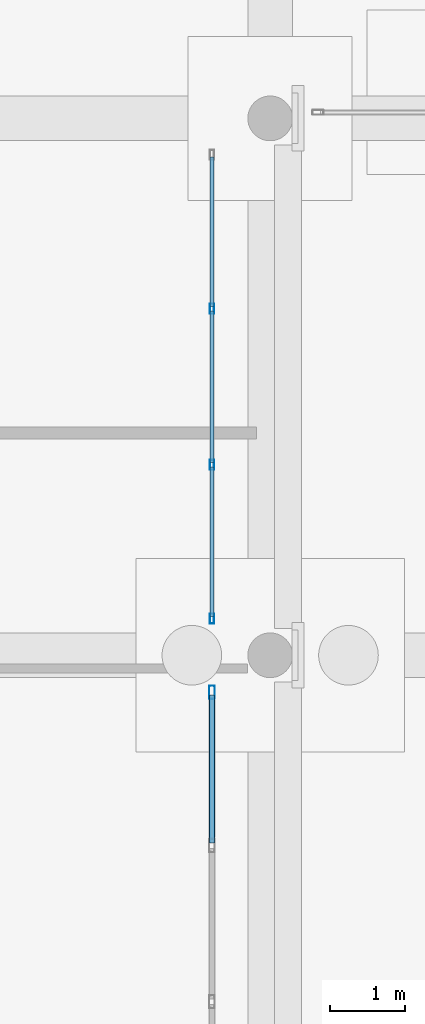
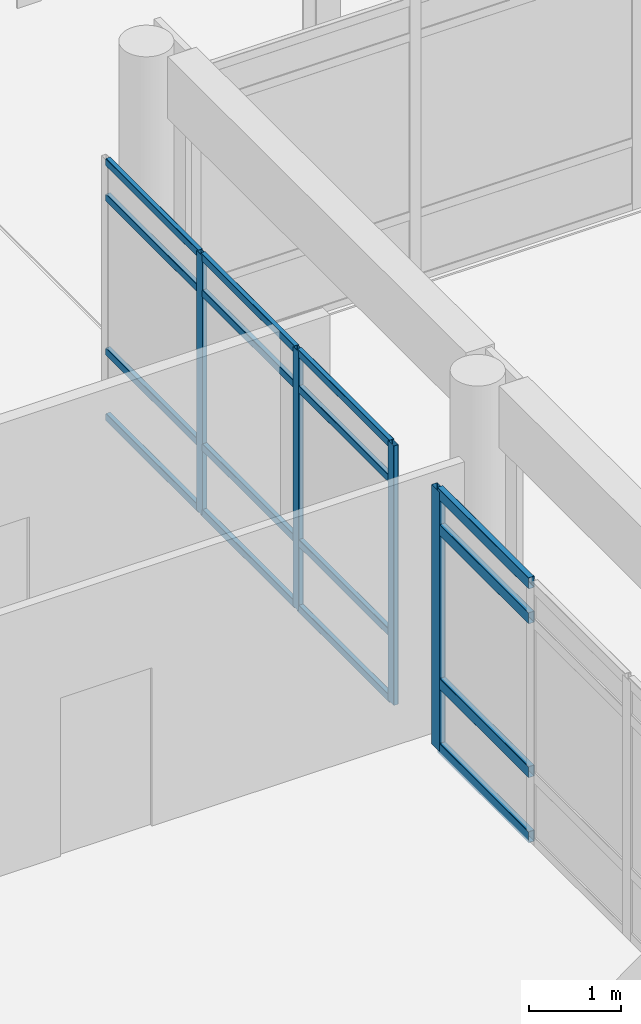
# One storey, part 79 of 196: 20 members, 2 elements without a shape of their own.
"""IFC4 building model written with IfcOpenShell, lengths in metres."""

from ifc_helpers import new_model, si_unit, direction, frame, origin, origin_2d, place, context, subcontext, project, spatial, hollow_rectangle, extrude, material, layer, layer_set, material_profile, profile_set, type_object, element, aggregate, save


model = new_model("IFC4")

# Units and contexts
model_context = context("Model", 3, precision=1e-05, world=origin(), true_north=direction((0.0, 1.0)))
body_context = subcontext(model_context, "Body", "Model", "MODEL_VIEW")
ifc_project = project(units=[si_unit("LENGTHUNIT", "METRE"), si_unit("AREAUNIT", "SQUARE_METRE"), si_unit("VOLUMEUNIT", "CUBIC_METRE"), si_unit("PLANEANGLEUNIT", "RADIAN"), si_unit("MASSUNIT", "GRAM", prefix="KILO")], contexts=[model_context])

# Site, building, storey
site_placement = place(None, origin())
site = spatial("IfcSite", under=ifc_project, at=site_placement, CompositionType="ELEMENT")
building_placement = place(site_placement, origin())
building = spatial("IfcBuilding", under=site, at=building_placement, Name="Asteropetra Specialist Clinic", CompositionType="ELEMENT")
storey_placement = place(building_placement, origin())
storey = spatial("IfcBuildingStorey", under=building, at=storey_placement, Name="L00", CompositionType="ELEMENT", Elevation=0.0)

# Curtain wall, members
ifc_material_1 = material(Name="Aluminium and low-E glass", Category="aluminium")
ifc_layer_1 = layer(ifc_material_1, 0.179931640625)
ifc_layer_set_1 = layer_set([ifc_layer_1], Name="Aluminium and low-E glass")
curtain_wall_type_1 = type_object("IfcCurtainWallType", Name="CW-SYS-10", PredefinedType="USERDEFINED", material=ifc_layer_set_1)
curtain_wall_1_placement = place(storey_placement, origin())
curtain_wall_1 = element("IfcCurtainWall", 1, at=curtain_wall_1_placement, inside=storey, type_object=curtain_wall_type_1, Name="Curtain Wall CW-170", ObjectType="STICK GLAZED COLONNADE", PredefinedType="USERDEFINED")
ifc_material_2 = material(Name="Aluminium 6063-T6", Category="aluminium")
ifc_material_profile_1 = material_profile(ifc_material_2, hollow_rectangle(XDim=0.06005859375, YDim=0.135009765625, WallThickness=0.00341796875, InnerFilletRadius=0.00341796875, OuterFilletRadius=0.007080078125, at=origin_2d()), Name="MUL 135x60x3.5")
ifc_profile_set_1 = profile_set([ifc_material_profile_1], Name="Aluminium 6063-T6")
member_type_1 = type_object("IfcMemberType", Name="CWM-135x60", PredefinedType="MULLION", material=ifc_profile_set_1)
member_1_placement = place(storey_placement, frame((95.219970703125, 41.2900390625, 0.0), z_axis=(0.0, 0.0, 1.0), x_axis=(-1.0, 0.0, 0.0)))
member_1 = element("IfcMember", 2, at=member_1_placement, type_object=member_type_1, Name="CW-170 mullion 1", PredefinedType="MULLION", context=body_context, shape_type="SweptSolid", body=[
    extrude(hollow_rectangle(XDim=0.06005859375, YDim=0.135009765625, WallThickness=0.00341796875, InnerFilletRadius=0.00341796875, OuterFilletRadius=0.007080078125, at=origin_2d()), origin(), (0.0, 0.0, 1.0), 3.43994140625),
])
member_2_placement = place(storey_placement, frame((95.219970703125, 43.353271484375, 0.0), z_axis=(0.0, 0.0, 1.0), x_axis=(-1.0, 0.0, 0.0)))
member_2 = element("IfcMember", 3, at=member_2_placement, type_object=member_type_1, Name="CW-170 mullion 2", PredefinedType="MULLION", context=body_context, shape_type="SweptSolid", body=[
    extrude(hollow_rectangle(XDim=0.06005859375, YDim=0.135009765625, WallThickness=0.00341796875, InnerFilletRadius=0.00341796875, OuterFilletRadius=0.007080078125, at=origin_2d()), origin(), (0.0, 0.0, 1.0), 3.43994140625),
])
member_3_placement = place(storey_placement, frame((95.219970703125, 45.44677734375, 0.0), z_axis=(0.0, 0.0, 1.0), x_axis=(-1.0, 0.0, 0.0)))
member_3 = element("IfcMember", 4, at=member_3_placement, type_object=member_type_1, Name="CW-170 mullion 3", PredefinedType="MULLION", context=body_context, shape_type="SweptSolid", body=[
    extrude(hollow_rectangle(XDim=0.06005859375, YDim=0.135009765625, WallThickness=0.00341796875, InnerFilletRadius=0.00341796875, OuterFilletRadius=0.007080078125, at=origin_2d()), origin(), (0.0, 0.0, 1.0), 3.43994140625),
])

# Curtain wall, member
ifc_material_3 = material(Name="Aluminium and low-E glass", Category="aluminium")
ifc_layer_2 = layer(ifc_material_3, 0.14990234375)
ifc_layer_set_2 = layer_set([ifc_layer_2], Name="Aluminium and low-E glass")
curtain_wall_type_2 = type_object("IfcCurtainWallType", Name="CW-SYS-11", PredefinedType="USERDEFINED", material=ifc_layer_set_2)
curtain_wall_2_placement = place(storey_placement, origin())
curtain_wall_2 = element("IfcCurtainWall", 5, at=curtain_wall_2_placement, inside=storey, type_object=curtain_wall_type_2, Name="Curtain Wall CW-168", ObjectType="STICK GLAZED COLONNADE", PredefinedType="USERDEFINED")
ifc_material_4 = material(Name="Aluminium 6063-T6", Category="aluminium")
ifc_material_profile_2 = material_profile(ifc_material_4, hollow_rectangle(XDim=0.074951171875, YDim=0.179931640625, WallThickness=0.00390625, InnerFilletRadius=0.00390625, OuterFilletRadius=0.008056640625, at=origin_2d()), Name="MUL 180x75x4.0")
ifc_profile_set_2 = profile_set([ifc_material_profile_2], Name="Aluminium 6063-T6")
member_type_2 = type_object("IfcMemberType", Name="CWM-180x75", PredefinedType="MULLION", material=ifc_profile_set_2)
member_4_placement = place(storey_placement, frame((95.219970703125, 40.302490234375, 0.0), z_axis=(0.0, 0.0, 1.0), x_axis=(-1.0, 0.0, 0.0)))
member_4 = element("IfcMember", 6, at=member_4_placement, type_object=member_type_2, Name="CW-168 mullion 4", PredefinedType="MULLION", context=body_context, shape_type="SweptSolid", body=[
    extrude(hollow_rectangle(XDim=0.074951171875, YDim=0.179931640625, WallThickness=0.00390625, InnerFilletRadius=0.00390625, OuterFilletRadius=0.008056640625, at=origin_2d()), origin(), (0.0, 0.0, 1.0), 3.43994140625),
])

# Member
ifc_material_5 = material(Name="Aluminium 6063-T6", Category="aluminium")
ifc_material_profile_3 = material_profile(ifc_material_5, hollow_rectangle(XDim=0.06005859375, YDim=0.10009765625, WallThickness=0.00341796875, InnerFilletRadius=0.00341796875, OuterFilletRadius=0.007080078125, at=origin_2d()), Name="TRN 100x60x3.5")
ifc_profile_set_3 = profile_set([ifc_material_profile_3], Name="Aluminium 6063-T6")
member_type_3 = type_object("IfcMemberType", Name="CWT-100x60", PredefinedType="USERDEFINED", material=ifc_profile_set_3)
member_5_placement = place(storey_placement, frame((95.219970703125, 41.320068359375, 0.030029296875), z_axis=(0.0, 1.0, 0.0), x_axis=(-1.0, 0.0, 0.0)))
member_5 = element("IfcMember", 7, at=member_5_placement, type_object=member_type_3, Name="CW-170 transom 1.1", ObjectType="TRANSOM", PredefinedType="USERDEFINED", context=body_context, shape_type="SweptSolid", body=[
    extrude(hollow_rectangle(XDim=0.06005859375, YDim=0.10009765625, WallThickness=0.00341796875, InnerFilletRadius=0.00341796875, OuterFilletRadius=0.007080078125, at=origin_2d()), origin(), (0.0, 0.0, 1.0), 2.003173828125),
])

member_6_placement = place(storey_placement, frame((95.219970703125, 41.320068359375, 0.89990234375), z_axis=(0.0, 1.0, 0.0), x_axis=(-1.0, 0.0, 0.0)))
member_6 = element("IfcMember", 8, at=member_6_placement, type_object=member_type_3, Name="CW-170 transom 1.2", ObjectType="TRANSOM", PredefinedType="USERDEFINED", context=body_context, shape_type="SweptSolid", body=[
    extrude(hollow_rectangle(XDim=0.06005859375, YDim=0.10009765625, WallThickness=0.00341796875, InnerFilletRadius=0.00341796875, OuterFilletRadius=0.007080078125, at=origin_2d()), origin(), (0.0, 0.0, 1.0), 2.003173828125),
])

member_7_placement = place(storey_placement, frame((95.219970703125, 41.320068359375, 2.93994140625), z_axis=(0.0, 1.0, 0.0), x_axis=(-1.0, 0.0, 0.0)))
member_7 = element("IfcMember", 9, at=member_7_placement, type_object=member_type_3, Name="CW-170 transom 1.3", ObjectType="TRANSOM", PredefinedType="USERDEFINED", context=body_context, shape_type="SweptSolid", body=[
    extrude(hollow_rectangle(XDim=0.06005859375, YDim=0.10009765625, WallThickness=0.00341796875, InnerFilletRadius=0.00341796875, OuterFilletRadius=0.007080078125, at=origin_2d()), origin(), (0.0, 0.0, 1.0), 2.003173828125),
])

member_8_placement = place(storey_placement, frame((95.219970703125, 41.320068359375, 3.409912109375), z_axis=(0.0, 1.0, 0.0), x_axis=(-1.0, 0.0, 0.0)))
member_8 = element("IfcMember", 10, at=member_8_placement, type_object=member_type_3, Name="CW-170 transom 1.4", ObjectType="TRANSOM", PredefinedType="USERDEFINED", context=body_context, shape_type="SweptSolid", body=[
    extrude(hollow_rectangle(XDim=0.06005859375, YDim=0.10009765625, WallThickness=0.00341796875, InnerFilletRadius=0.00341796875, OuterFilletRadius=0.007080078125, at=origin_2d()), origin(), (0.0, 0.0, 1.0), 2.003173828125),
])

member_9_placement = place(storey_placement, frame((95.219970703125, 43.38330078125, 0.030029296875), z_axis=(0.0, 1.0, 0.0), x_axis=(-1.0, 0.0, 0.0)))
member_9 = element("IfcMember", 11, at=member_9_placement, type_object=member_type_3, Name="CW-170 transom 2.1", ObjectType="TRANSOM", PredefinedType="USERDEFINED", context=body_context, shape_type="SweptSolid", body=[
    extrude(hollow_rectangle(XDim=0.06005859375, YDim=0.10009765625, WallThickness=0.00341796875, InnerFilletRadius=0.00341796875, OuterFilletRadius=0.007080078125, at=origin_2d()), origin(), (0.0, 0.0, 1.0), 2.033447265625),
])

member_10_placement = place(storey_placement, frame((95.219970703125, 43.38330078125, 0.89990234375), z_axis=(0.0, 1.0, 0.0), x_axis=(-1.0, 0.0, 0.0)))
member_10 = element("IfcMember", 12, at=member_10_placement, type_object=member_type_3, Name="CW-170 transom 2.2", ObjectType="TRANSOM", PredefinedType="USERDEFINED", context=body_context, shape_type="SweptSolid", body=[
    extrude(hollow_rectangle(XDim=0.06005859375, YDim=0.10009765625, WallThickness=0.00341796875, InnerFilletRadius=0.00341796875, OuterFilletRadius=0.007080078125, at=origin_2d()), origin(), (0.0, 0.0, 1.0), 2.033447265625),
])

member_11_placement = place(storey_placement, frame((95.219970703125, 43.38330078125, 2.93994140625), z_axis=(0.0, 1.0, 0.0), x_axis=(-1.0, 0.0, 0.0)))
member_11 = element("IfcMember", 13, at=member_11_placement, type_object=member_type_3, Name="CW-170 transom 2.3", ObjectType="TRANSOM", PredefinedType="USERDEFINED", context=body_context, shape_type="SweptSolid", body=[
    extrude(hollow_rectangle(XDim=0.06005859375, YDim=0.10009765625, WallThickness=0.00341796875, InnerFilletRadius=0.00341796875, OuterFilletRadius=0.007080078125, at=origin_2d()), origin(), (0.0, 0.0, 1.0), 2.033447265625),
])

member_12_placement = place(storey_placement, frame((95.219970703125, 43.38330078125, 3.409912109375), z_axis=(0.0, 1.0, 0.0), x_axis=(-1.0, 0.0, 0.0)))
member_12 = element("IfcMember", 14, at=member_12_placement, type_object=member_type_3, Name="CW-170 transom 2.4", ObjectType="TRANSOM", PredefinedType="USERDEFINED", context=body_context, shape_type="SweptSolid", body=[
    extrude(hollow_rectangle(XDim=0.06005859375, YDim=0.10009765625, WallThickness=0.00341796875, InnerFilletRadius=0.00341796875, OuterFilletRadius=0.007080078125, at=origin_2d()), origin(), (0.0, 0.0, 1.0), 2.033447265625),
])

member_13_placement = place(storey_placement, frame((95.219970703125, 45.4765625, 0.030029296875), z_axis=(0.0, 1.0, 0.0), x_axis=(-1.0, 0.0, 0.0)))
member_13 = element("IfcMember", 15, at=member_13_placement, type_object=member_type_3, Name="CW-170 transom 3.1", ObjectType="TRANSOM", PredefinedType="USERDEFINED", context=body_context, shape_type="SweptSolid", body=[
    extrude(hollow_rectangle(XDim=0.06005859375, YDim=0.10009765625, WallThickness=0.00341796875, InnerFilletRadius=0.00341796875, OuterFilletRadius=0.007080078125, at=origin_2d()), origin(), (0.0, 0.0, 1.0), 2.00341796875),
])

member_14_placement = place(storey_placement, frame((95.219970703125, 45.4765625, 0.89990234375), z_axis=(0.0, 1.0, 0.0), x_axis=(-1.0, 0.0, 0.0)))
member_14 = element("IfcMember", 16, at=member_14_placement, type_object=member_type_3, Name="CW-170 transom 3.2", ObjectType="TRANSOM", PredefinedType="USERDEFINED", context=body_context, shape_type="SweptSolid", body=[
    extrude(hollow_rectangle(XDim=0.06005859375, YDim=0.10009765625, WallThickness=0.00341796875, InnerFilletRadius=0.00341796875, OuterFilletRadius=0.007080078125, at=origin_2d()), origin(), (0.0, 0.0, 1.0), 2.00341796875),
])

member_15_placement = place(storey_placement, frame((95.219970703125, 45.4765625, 2.93994140625), z_axis=(0.0, 1.0, 0.0), x_axis=(-1.0, 0.0, 0.0)))
member_15 = element("IfcMember", 17, at=member_15_placement, type_object=member_type_3, Name="CW-170 transom 3.3", ObjectType="TRANSOM", PredefinedType="USERDEFINED", context=body_context, shape_type="SweptSolid", body=[
    extrude(hollow_rectangle(XDim=0.06005859375, YDim=0.10009765625, WallThickness=0.00341796875, InnerFilletRadius=0.00341796875, OuterFilletRadius=0.007080078125, at=origin_2d()), origin(), (0.0, 0.0, 1.0), 2.00341796875),
])

member_16_placement = place(storey_placement, frame((95.219970703125, 45.4765625, 3.409912109375), z_axis=(0.0, 1.0, 0.0), x_axis=(-1.0, 0.0, 0.0)))
member_16 = element("IfcMember", 18, at=member_16_placement, type_object=member_type_3, Name="CW-170 transom 3.4", ObjectType="TRANSOM", PredefinedType="USERDEFINED", context=body_context, shape_type="SweptSolid", body=[
    extrude(hollow_rectangle(XDim=0.06005859375, YDim=0.10009765625, WallThickness=0.00341796875, InnerFilletRadius=0.00341796875, OuterFilletRadius=0.007080078125, at=origin_2d()), origin(), (0.0, 0.0, 1.0), 2.00341796875),
])

aggregate(curtain_wall_1, [member_1, member_2, member_3, member_5, member_6, member_7, member_8, member_9, member_10, member_11, member_12, member_13, member_14, member_15, member_16])

ifc_material_6 = material(Name="Aluminium 6063-T6", Category="aluminium")
ifc_material_profile_4 = material_profile(ifc_material_6, hollow_rectangle(XDim=0.074951171875, YDim=0.14990234375, WallThickness=0.00390625, InnerFilletRadius=0.00390625, OuterFilletRadius=0.008056640625, at=origin_2d()), Name="TRN 150x75x4.0")
ifc_profile_set_4 = profile_set([ifc_material_profile_4], Name="Aluminium 6063-T6")
member_type_4 = type_object("IfcMemberType", Name="CWT-150x75", PredefinedType="USERDEFINED", material=ifc_profile_set_4)
member_17_placement = place(storey_placement, frame((95.219970703125, 38.2841796875, 0.03759765625), z_axis=(0.0, 1.0, 0.0), x_axis=(-1.0, 0.0, 0.0)))
member_17 = element("IfcMember", 19, at=member_17_placement, type_object=member_type_4, Name="CW-168 transom 3.1", ObjectType="TRANSOM", PredefinedType="USERDEFINED", context=body_context, shape_type="SweptSolid", body=[
    extrude(hollow_rectangle(XDim=0.074951171875, YDim=0.14990234375, WallThickness=0.00390625, InnerFilletRadius=0.00390625, OuterFilletRadius=0.008056640625, at=origin_2d()), origin(), (0.0, 0.0, 1.0), 1.980712890625),
])

member_18_placement = place(storey_placement, frame((95.219970703125, 38.2841796875, 0.89990234375), z_axis=(0.0, 1.0, 0.0), x_axis=(-1.0, 0.0, 0.0)))
member_18 = element("IfcMember", 20, at=member_18_placement, type_object=member_type_4, Name="CW-168 transom 3.2", ObjectType="TRANSOM", PredefinedType="USERDEFINED", context=body_context, shape_type="SweptSolid", body=[
    extrude(hollow_rectangle(XDim=0.074951171875, YDim=0.14990234375, WallThickness=0.00390625, InnerFilletRadius=0.00390625, OuterFilletRadius=0.008056640625, at=origin_2d()), origin(), (0.0, 0.0, 1.0), 1.980712890625),
])

member_19_placement = place(storey_placement, frame((95.219970703125, 38.2841796875, 2.93994140625), z_axis=(0.0, 1.0, 0.0), x_axis=(-1.0, 0.0, 0.0)))
member_19 = element("IfcMember", 21, at=member_19_placement, type_object=member_type_4, Name="CW-168 transom 3.3", ObjectType="TRANSOM", PredefinedType="USERDEFINED", context=body_context, shape_type="SweptSolid", body=[
    extrude(hollow_rectangle(XDim=0.074951171875, YDim=0.14990234375, WallThickness=0.00390625, InnerFilletRadius=0.00390625, OuterFilletRadius=0.008056640625, at=origin_2d()), origin(), (0.0, 0.0, 1.0), 1.980712890625),
])

member_20_placement = place(storey_placement, frame((95.219970703125, 38.2841796875, 3.402587890625), z_axis=(0.0, 1.0, 0.0), x_axis=(-1.0, 0.0, 0.0)))
member_20 = element("IfcMember", 22, at=member_20_placement, type_object=member_type_4, Name="CW-168 transom 3.4", ObjectType="TRANSOM", PredefinedType="USERDEFINED", context=body_context, shape_type="SweptSolid", body=[
    extrude(hollow_rectangle(XDim=0.074951171875, YDim=0.14990234375, WallThickness=0.00390625, InnerFilletRadius=0.00390625, OuterFilletRadius=0.008056640625, at=origin_2d()), origin(), (0.0, 0.0, 1.0), 1.980712890625),
])

aggregate(curtain_wall_2, [member_4, member_17, member_18, member_19, member_20])

save(model, "model.ifc")
